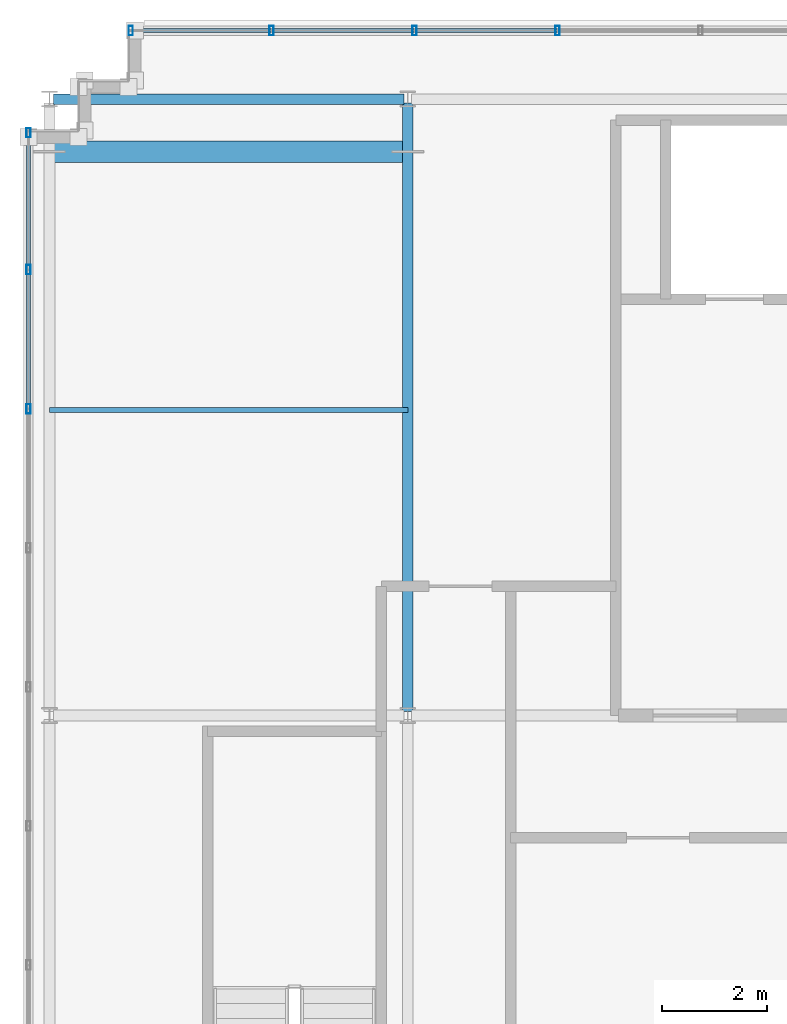
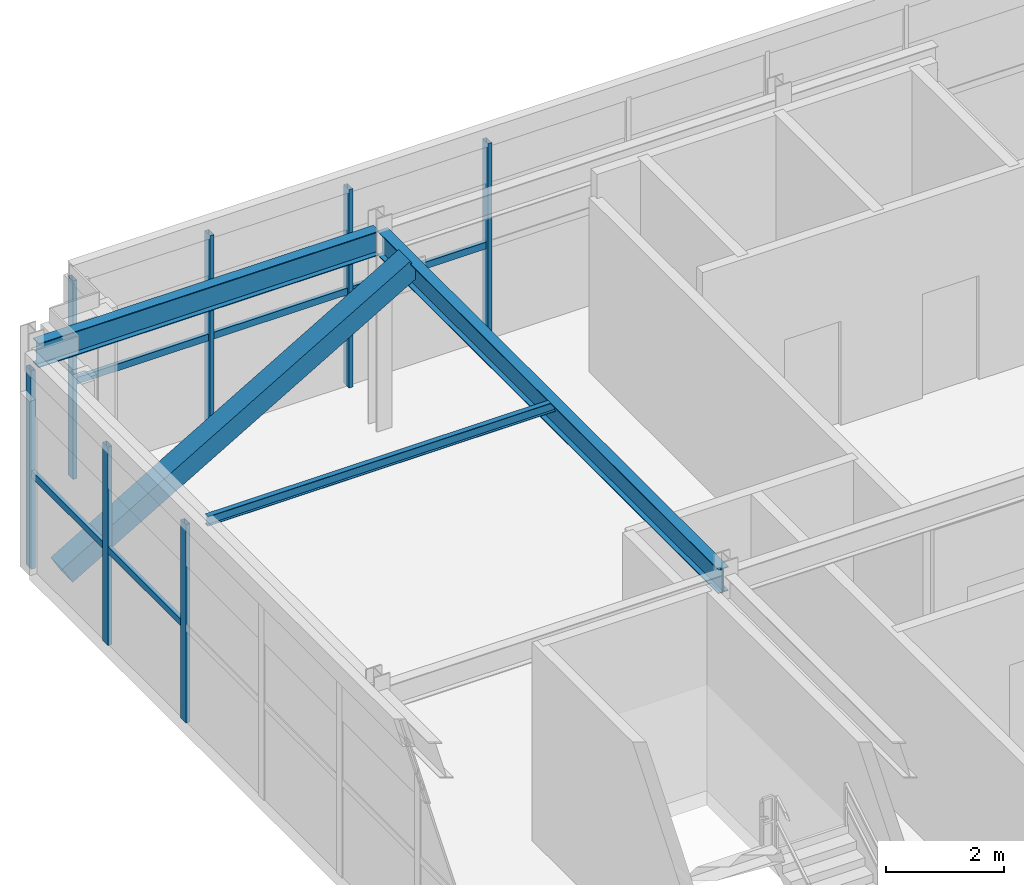
# One storey, part 10 of 31: 14 members, 2 beams, 2 elements without a shape of their own.
"""IFC4 building model written with IfcOpenShell, lengths in metres."""

from ifc_helpers import new_model, si_unit, direction, frame, origin, origin_2d, place, context, subcontext, project, spatial, hollow_rectangle, i_section, extrude, source, transform, mapped, material, material_profile, profile_set, type_object, element, aggregate, save


model = new_model("IFC4")

# Units and contexts
model_context = context("Model", 3, precision=1e-05, world=origin(), true_north=direction((0.0, 1.0)))
body_context = subcontext(model_context, "Body", "Model", "MODEL_VIEW")
ifc_project = project(units=[si_unit("LENGTHUNIT", "METRE"), si_unit("AREAUNIT", "SQUARE_METRE"), si_unit("VOLUMEUNIT", "CUBIC_METRE"), si_unit("PLANEANGLEUNIT", "RADIAN"), si_unit("MASSUNIT", "GRAM", prefix="KILO")], contexts=[model_context])

# Site, building, storey
site_placement = place(None, origin())
site = spatial("IfcSite", under=ifc_project, at=site_placement, CompositionType="ELEMENT")
building_placement = place(site_placement, origin())
building = spatial("IfcBuilding", under=site, at=building_placement, Name="Trelvane Seafront Commons", CompositionType="ELEMENT")
storey_placement = place(building_placement, frame((0.0, 0.0, 307.89990234375)))
storey = spatial("IfcBuildingStorey", under=building, at=storey_placement, Name="L80", CompositionType="ELEMENT", Elevation=307.89990234375)

# Beams
ifc_material_1 = material(Name="Steel SM355 (S355)", Category="steel")
ifc_material_profile_1 = material_profile(ifc_material_1, i_section(OverallWidth=0.199951171875, OverallDepth=0.5, WebThickness=0.010009765625, FlangeThickness=0.01611328125, at=origin_2d()), Name="H-500x200x10x16")
ifc_profile_set_1 = profile_set([ifc_material_profile_1], Name="Steel SM355 (S355)")
beam_type_1 = type_object("IfcBeamType", Name="STR-CROWN-FRAME-RING", PredefinedType="SPANDREL", material=ifc_profile_set_1)
shared_shape_1 = source(origin(), body_context, "Body", "SweptSolid", [
    extrude(i_section(OverallWidth=0.199951171875, OverallDepth=0.5, WebThickness=0.010009765625, FlangeThickness=0.01611328125, at=origin_2d()), origin(), (0.0, 0.0, 1.0), 6.64990234375),
])
beam_1_placement = place(storey_placement, frame((8.875, 45.10009765625, 3.85009765625), z_axis=(1.0, 0.0, 0.0), x_axis=(0.0, 1.0, 0.0)))
element("IfcBeam", 1, at=beam_1_placement, inside=storey, type_object=beam_type_1, Name="L80 CROWN FRAME Ring Beam G-15", PredefinedType="SPANDREL", context=body_context, shape_type="MappedRepresentation", body=[
    mapped(shared_shape_1, transform((0.0, 0.0, 0.0), x_axis=(1.0, 0.0, 0.0), y_axis=(0.0, 1.0, 0.0), z_axis=(0.0, 0.0, 1.0), scale=1.0)),
])
ifc_material_profile_2 = material_profile(ifc_material_1, i_section(OverallWidth=0.199951171875, OverallDepth=0.5, WebThickness=0.010009765625, FlangeThickness=0.01611328125, at=origin_2d()), Name="H-500x200x10x16")
ifc_profile_set_2 = profile_set([ifc_material_profile_2], Name="Steel SM355 (S355)")
beam_type_2 = type_object("IfcBeamType", Name="STR-BM-H500", PredefinedType="BEAM", material=ifc_profile_set_2)
shared_shape_2 = source(origin(), body_context, "Body", "SweptSolid", [
    extrude(i_section(OverallWidth=0.199951171875, OverallDepth=0.5, WebThickness=0.010009765625, FlangeThickness=0.01611328125, at=origin_2d()), origin(), (0.0, 0.0, 1.0), 11.5498046875),
])
beam_2_placement = place(storey_placement, frame((15.60009765625, 33.47509765625, 3.85009765625), z_axis=(0.0, 1.0, 0.0), x_axis=(-1.0, 0.0, 0.0)))
element("IfcBeam", 2, at=beam_2_placement, inside=storey, type_object=beam_type_2, Name="L80 Primary Girder G-25", PredefinedType="BEAM", context=body_context, shape_type="MappedRepresentation", body=[
    mapped(shared_shape_2, transform((0.0, 0.0, 0.0), x_axis=(1.0, 0.0, 0.0), y_axis=(0.0, 1.0, 0.0), z_axis=(0.0, 0.0, 1.0), scale=1.0)),
])

# Members
ifc_material_profile_3 = material_profile(ifc_material_1, i_section(OverallWidth=0.10009765625, OverallDepth=0.199951171875, WebThickness=0.005615234375, FlangeThickness=0.008056640625, at=origin_2d()), Name="H-200x100x5.5x8")
ifc_profile_set_3 = profile_set([ifc_material_profile_3], Name="Steel SM355 (S355)")
member_type_1 = type_object("IfcMemberType", Name="STR-PUR-H200", PredefinedType="PURLIN", material=ifc_profile_set_3)
shared_shape_3 = source(origin(), body_context, "Body", "SweptSolid", [
    extrude(i_section(OverallWidth=0.10009765625, OverallDepth=0.199951171875, WebThickness=0.005615234375, FlangeThickness=0.008056640625, at=origin_2d()), origin(), (0.0, 0.0, 1.0), 6.800048828125),
])
member_1_placement = place(storey_placement, frame((8.800048828125, 39.199951171875, 4.0), z_axis=(1.0, 0.0, 0.0), x_axis=(0.0, 1.0, 0.0)))
element("IfcMember", 3, at=member_1_placement, inside=storey, type_object=member_type_1, Name="L80 Crown Roof Purlin PR-2", PredefinedType="PURLIN", context=body_context, shape_type="MappedRepresentation", body=[
    mapped(shared_shape_3, transform((0.0, 0.0, 0.0), x_axis=(1.0, 0.0, 0.0), y_axis=(0.0, 1.0, 0.0), z_axis=(0.0, 0.0, 1.0), scale=1.0)),
])
ifc_material_profile_4 = material_profile(ifc_material_1, hollow_rectangle(XDim=0.39990234375, YDim=0.39990234375, WallThickness=0.01611328125, at=origin_2d()), Name="RHS-400x400x16")
ifc_profile_set_4 = profile_set([ifc_material_profile_4], Name="Steel SM355 (S355)")
member_type_2 = type_object("IfcMemberType", Name="STR-BRC-RHS400", PredefinedType="BRACE", material=ifc_profile_set_4)
shared_shape_4 = source(origin(), body_context, "Body", "SweptSolid", [
    extrude(hollow_rectangle(XDim=0.39990234375, YDim=0.39990234375, WallThickness=0.01611328125, at=origin_2d()), origin(), (0.0, 0.0, 1.0), 7.879150390625),
])
member_2_placement = place(storey_placement, frame((8.800048828125, 44.10009765625, 0.0), z_axis=(0.863044121855, 0.0, 0.50512854179), x_axis=(0.0, 1.0, 0.0)))
element("IfcMember", 4, at=member_2_placement, inside=storey, type_object=member_type_2, Name="L80 CROWN FRAME Diagonal Brace CW", PredefinedType="BRACE", context=body_context, shape_type="MappedRepresentation", body=[
    mapped(shared_shape_4, transform((0.0, 0.0, 0.0), x_axis=(1.0, 0.0, 0.0), y_axis=(0.0, 1.0, 0.0), z_axis=(0.0, 0.0, 1.0), scale=1.0)),
])

# Curtain wall, members
ifc_material_2 = material(Name="Anodised pale-silver aluminium", Category="aluminium")
curtain_wall_type = type_object("IfcCurtainWallType", Name="ARCH-CW6-CROWN", PredefinedType="NOTDEFINED", material=ifc_material_2)
curtain_wall_1_placement = place(storey_placement, origin())
curtain_wall_1 = element("IfcCurtainWall", 5, at=curtain_wall_1_placement, inside=storey, type_object=curtain_wall_type, Name="CW-L80-0136", PredefinedType="NOTDEFINED")
ifc_material_profile_5 = material_profile(ifc_material_2, hollow_rectangle(XDim=0.080078125, YDim=0.179931640625, WallThickness=0.00439453125, at=origin_2d()), Name="MULL-80x180x4.5")
ifc_profile_set_5 = profile_set([ifc_material_profile_5], Name="Anodised pale-silver aluminium")
member_type_3 = type_object("IfcMemberType", Name="ARCH-CW-MULL-180", PredefinedType="MULLION", material=ifc_profile_set_5)
shared_shape_5 = source(origin(), body_context, "Body", "SweptSolid", [
    extrude(hollow_rectangle(XDim=0.080078125, YDim=0.179931640625, WallThickness=0.00439453125, at=origin_2d()), origin(), (0.0, 0.0, 1.0), 4.10009765625),
])
member_3_placement = place(storey_placement, frame((8.39990234375, 39.219970703125, 0.0), z_axis=(0.0, 0.0, 1.0), x_axis=(1.0, 0.0, 0.0)))
member_3 = element("IfcMember", 6, at=member_3_placement, type_object=member_type_3, Name="CW-L80-0136-M08", PredefinedType="MULLION", context=body_context, shape_type="MappedRepresentation", body=[
    mapped(shared_shape_5, transform((0.0, 0.0, 0.0), x_axis=(1.0, 0.0, 0.0), y_axis=(0.0, 1.0, 0.0), z_axis=(0.0, 0.0, 1.0), scale=1.0)),
])
member_4_placement = place(storey_placement, frame((8.39990234375, 41.860107421875, 0.0), z_axis=(0.0, 0.0, 1.0), x_axis=(1.0, 0.0, 0.0)))
member_4 = element("IfcMember", 7, at=member_4_placement, type_object=member_type_3, Name="CW-L80-0136-M09", PredefinedType="MULLION", context=body_context, shape_type="MappedRepresentation", body=[
    mapped(shared_shape_5, transform((0.0, 0.0, 0.0), x_axis=(1.0, 0.0, 0.0), y_axis=(0.0, 1.0, 0.0), z_axis=(0.0, 0.0, 1.0), scale=1.0)),
])
member_5_placement = place(storey_placement, frame((8.39990234375, 44.4599609375, 0.0), z_axis=(0.0, 0.0, 1.0), x_axis=(1.0, 0.0, 0.0)))
member_5 = element("IfcMember", 8, at=member_5_placement, type_object=member_type_3, Name="CW-L80-0136-M10", PredefinedType="MULLION", context=body_context, shape_type="MappedRepresentation", body=[
    mapped(shared_shape_5, transform((0.0, 0.0, 0.0), x_axis=(1.0, 0.0, 0.0), y_axis=(0.0, 1.0, 0.0), z_axis=(0.0, 0.0, 1.0), scale=1.0)),
])

curtain_wall_2_placement = place(storey_placement, origin())
curtain_wall_2 = element("IfcCurtainWall", 9, at=curtain_wall_2_placement, inside=storey, type_object=curtain_wall_type, Name="CW-L80-0137", PredefinedType="NOTDEFINED")
member_6_placement = place(storey_placement, frame((10.340087890625, 46.39990234375, 0.0), z_axis=(0.0, 0.0, 1.0), x_axis=(1.0, 0.0, 0.0)))
member_6 = element("IfcMember", 10, at=member_6_placement, type_object=member_type_3, Name="CW-L80-0137-M00", PredefinedType="MULLION", context=body_context, shape_type="MappedRepresentation", body=[
    mapped(shared_shape_5, transform((0.0, 0.0, 0.0), x_axis=(1.0, 0.0, 0.0), y_axis=(0.0, 1.0, 0.0), z_axis=(0.0, 0.0, 1.0), scale=1.0)),
])
member_7_placement = place(storey_placement, frame((13.014404296875, 46.39990234375, 0.0), z_axis=(0.0, 0.0, 1.0), x_axis=(1.0, 0.0, 0.0)))
member_7 = element("IfcMember", 11, at=member_7_placement, type_object=member_type_3, Name="CW-L80-0137-M01", PredefinedType="MULLION", context=body_context, shape_type="MappedRepresentation", body=[
    mapped(shared_shape_5, transform((0.0, 0.0, 0.0), x_axis=(1.0, 0.0, 0.0), y_axis=(0.0, 1.0, 0.0), z_axis=(0.0, 0.0, 1.0), scale=1.0)),
])
member_8_placement = place(storey_placement, frame((15.728515625, 46.39990234375, 0.0), z_axis=(0.0, 0.0, 1.0), x_axis=(1.0, 0.0, 0.0)))
member_8 = element("IfcMember", 12, at=member_8_placement, type_object=member_type_3, Name="CW-L80-0137-M02", PredefinedType="MULLION", context=body_context, shape_type="MappedRepresentation", body=[
    mapped(shared_shape_5, transform((0.0, 0.0, 0.0), x_axis=(1.0, 0.0, 0.0), y_axis=(0.0, 1.0, 0.0), z_axis=(0.0, 0.0, 1.0), scale=1.0)),
])
member_9_placement = place(storey_placement, frame((18.44287109375, 46.39990234375, 0.0), z_axis=(0.0, 0.0, 1.0), x_axis=(1.0, 0.0, 0.0)))
member_9 = element("IfcMember", 13, at=member_9_placement, type_object=member_type_3, Name="CW-L80-0137-M03", PredefinedType="MULLION", context=body_context, shape_type="MappedRepresentation", body=[
    mapped(shared_shape_5, transform((0.0, 0.0, 0.0), x_axis=(1.0, 0.0, 0.0), y_axis=(0.0, 1.0, 0.0), z_axis=(0.0, 0.0, 1.0), scale=1.0)),
])

# Member
ifc_material_profile_6 = material_profile(ifc_material_2, hollow_rectangle(XDim=0.074951171875, YDim=0.139892578125, WallThickness=0.00390625, at=origin_2d()), Name="TRAN-75x140x4")
ifc_profile_set_6 = profile_set([ifc_material_profile_6], Name="Anodised pale-silver aluminium")
member_type_4 = type_object("IfcMemberType", Name="ARCH-CW-TRAN-140", PredefinedType="USERDEFINED", material=ifc_profile_set_6)
shared_shape_6 = source(origin(), body_context, "Body", "SweptSolid", [
    extrude(hollow_rectangle(XDim=0.074951171875, YDim=0.139892578125, WallThickness=0.00390625, at=origin_2d()), origin(), (0.0, 0.0, 1.0), 2.615966796875),
])
member_10_placement = place(storey_placement, frame((8.39990234375, 39.23193359375, 1.968017578125), z_axis=(0.0, 1.0, 0.0), x_axis=(-1.0, 0.0, 0.0)))
member_10 = element("IfcMember", 14, at=member_10_placement, type_object=member_type_4, Name="CW-L80-0136-T08", ObjectType="TRANSOM", PredefinedType="USERDEFINED", context=body_context, shape_type="MappedRepresentation", body=[
    mapped(shared_shape_6, transform((0.0, 0.0, 0.0), x_axis=(1.0, 0.0, 0.0), y_axis=(0.0, 1.0, 0.0), z_axis=(0.0, 0.0, 1.0), scale=1.0)),
])

member_11_placement = place(storey_placement, frame((8.39990234375, 41.8720703125, 1.968017578125), z_axis=(0.0, 1.0, 0.0), x_axis=(-1.0, 0.0, 0.0)))
member_11 = element("IfcMember", 15, at=member_11_placement, type_object=member_type_4, Name="CW-L80-0136-T09", ObjectType="TRANSOM", PredefinedType="USERDEFINED", context=body_context, shape_type="MappedRepresentation", body=[
    mapped(shared_shape_6, transform((0.0, 0.0, 0.0), x_axis=(1.0, 0.0, 0.0), y_axis=(0.0, 1.0, 0.0), z_axis=(0.0, 0.0, 1.0), scale=1.0)),
])

aggregate(curtain_wall_1, [member_3, member_4, member_5, member_10, member_11])

shared_shape_7 = source(origin(), body_context, "Body", "SweptSolid", [
    extrude(hollow_rectangle(XDim=0.074951171875, YDim=0.139892578125, WallThickness=0.00390625, at=origin_2d()), origin(), (0.0, 0.0, 1.0), 2.690185546875),
])
member_12_placement = place(storey_placement, frame((10.31201171875, 46.39990234375, 1.968017578125), z_axis=(1.0, 0.0, 0.0), x_axis=(0.0, 1.0, 0.0)))
member_12 = element("IfcMember", 16, at=member_12_placement, type_object=member_type_4, Name="CW-L80-0137-T00", ObjectType="TRANSOM", PredefinedType="USERDEFINED", context=body_context, shape_type="MappedRepresentation", body=[
    mapped(shared_shape_7, transform((0.0, 0.0, 0.0), x_axis=(1.0, 0.0, 0.0), y_axis=(0.0, 1.0, 0.0), z_axis=(0.0, 0.0, 1.0), scale=1.0)),
])

member_13_placement = place(storey_placement, frame((13.0263671875, 46.39990234375, 1.968017578125), z_axis=(1.0, 0.0, 0.0), x_axis=(0.0, 1.0, 0.0)))
member_13 = element("IfcMember", 17, at=member_13_placement, type_object=member_type_4, Name="CW-L80-0137-T01", ObjectType="TRANSOM", PredefinedType="USERDEFINED", context=body_context, shape_type="MappedRepresentation", body=[
    mapped(shared_shape_7, transform((0.0, 0.0, 0.0), x_axis=(1.0, 0.0, 0.0), y_axis=(0.0, 1.0, 0.0), z_axis=(0.0, 0.0, 1.0), scale=1.0)),
])

shared_shape_8 = source(origin(), body_context, "Body", "SweptSolid", [
    extrude(hollow_rectangle(XDim=0.074951171875, YDim=0.139892578125, WallThickness=0.00390625, at=origin_2d()), origin(), (0.0, 0.0, 1.0), 2.6904296875),
])
member_14_placement = place(storey_placement, frame((15.740478515625, 46.39990234375, 1.968017578125), z_axis=(1.0, 0.0, 0.0), x_axis=(0.0, 1.0, 0.0)))
member_14 = element("IfcMember", 18, at=member_14_placement, type_object=member_type_4, Name="CW-L80-0137-T02", ObjectType="TRANSOM", PredefinedType="USERDEFINED", context=body_context, shape_type="MappedRepresentation", body=[
    mapped(shared_shape_8, transform((0.0, 0.0, 0.0), x_axis=(1.0, 0.0, 0.0), y_axis=(0.0, 1.0, 0.0), z_axis=(0.0, 0.0, 1.0), scale=1.0)),
])

aggregate(curtain_wall_2, [member_6, member_7, member_8, member_9, member_12, member_13, member_14])

save(model, "model.ifc")
